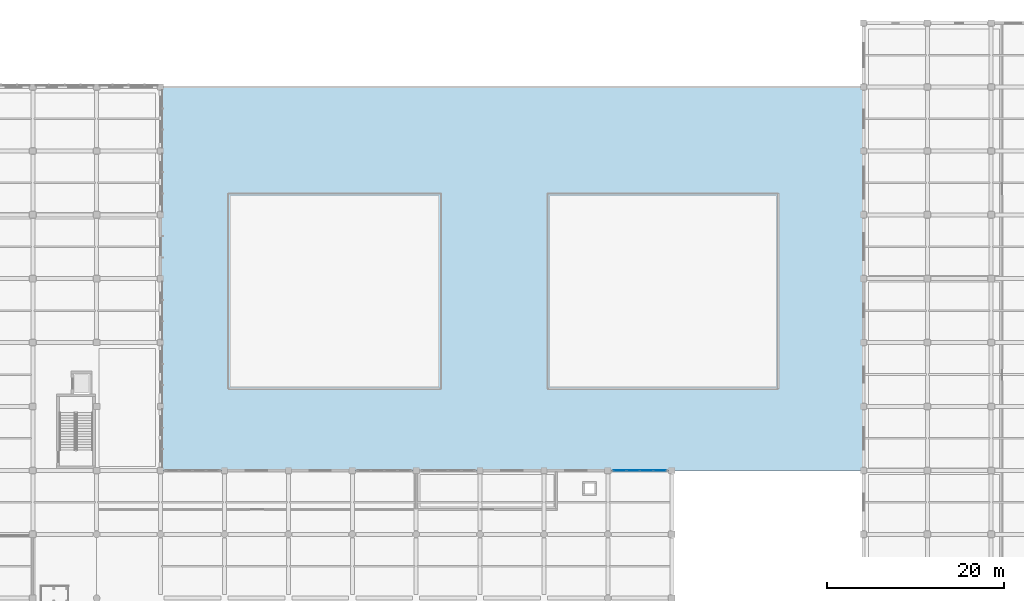
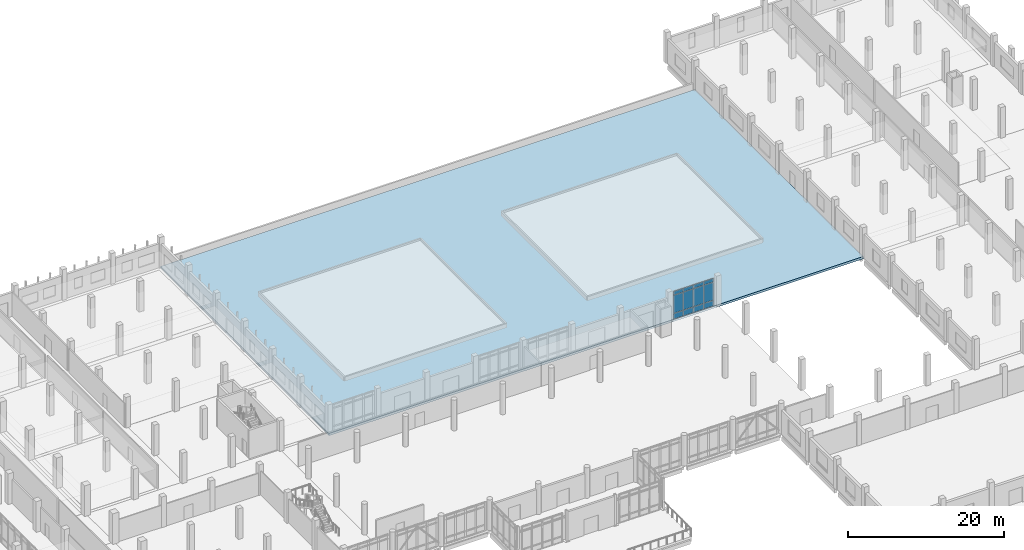
# One storey, part 32 of 59: 12 plates, 1 slab, 1 element without a shape of its own.
"""IFC4 building model written with IfcOpenShell, lengths in metres."""

from ifc_helpers import new_model, si_unit, direction, frame, origin, origin_2d, place, context, subcontext, project, spatial, polyline, rectangle, outline, extrude, material, layer, layer_set, type_object, element, aggregate, save


model = new_model("IFC4")

# Units and contexts
model_context = context("Model", 3, precision=1e-05, world=origin(), true_north=direction((0.0, 1.0)))
body_context = subcontext(model_context, "Body", "Model", "MODEL_VIEW")
ifc_project = project(units=[si_unit("LENGTHUNIT", "METRE"), si_unit("AREAUNIT", "SQUARE_METRE"), si_unit("VOLUMEUNIT", "CUBIC_METRE"), si_unit("PLANEANGLEUNIT", "RADIAN"), si_unit("MASSUNIT", "GRAM", prefix="KILO")], contexts=[model_context])

# Site, building, storey
site_placement = place(None, origin())
site = spatial("IfcSite", under=ifc_project, at=site_placement, CompositionType="ELEMENT")
building_placement = place(site_placement, origin())
building = spatial("IfcBuilding", under=site, at=building_placement, Name="Valkovuoma Quantum and Materials Research Institute", CompositionType="ELEMENT")
storey_placement = place(building_placement, origin())
storey = spatial("IfcBuildingStorey", under=building, at=storey_placement, Name="L00", CompositionType="ELEMENT", Elevation=0.0)

# Curtain wall, plates
ifc_material_1 = material(Name="Thermally broken aluminium and triple low-E glazing", Category="aluminium")
ifc_layer_1 = layer(ifc_material_1, 0.219970703125)
ifc_layer_set_1 = layer_set([ifc_layer_1], Name="Thermally broken aluminium and triple low-E glazing")
curtain_wall_type = type_object("IfcCurtainWallType", Name="CW-CW-02", PredefinedType="NOTDEFINED", material=ifc_layer_set_1)
curtain_wall_placement = place(storey_placement, origin())
curtain_wall = element("IfcCurtainWall", 1, at=curtain_wall_placement, inside=storey, type_object=curtain_wall_type, Name="L00 curtain wall 158", PredefinedType="NOTDEFINED")
ifc_material_2 = material(Name="Triple low-E argon insulating glass", Category="glass")
ifc_layer_2 = layer(ifc_material_2, 0.0419921875)
ifc_layer_set_2 = layer_set([ifc_layer_2], Name="Triple low-E argon insulating glass")
plate_type = type_object("IfcPlateType", Name="CWPanel-CWP-02", PredefinedType="CURTAIN_PANEL", material=ifc_layer_set_2)
plate_1_placement = place(storey_placement, frame((102.155029296875, 64.800048828125, 0.074951171875), z_axis=(0.0, 0.0, 1.0), x_axis=(1.0, 0.0, 0.0)))
plate_1 = element("IfcPlate", 2, at=plate_1_placement, type_object=plate_type, Name="CW-02 panel 1.1", PredefinedType="CURTAIN_PANEL", context=body_context, shape_type="SweptSolid", body=[
    extrude(rectangle(XDim=1.389892578125, YDim=0.0419921875, at=origin_2d()), origin(), (0.0, 0.0, 1.0), 0.83740234375),
])
plate_2_placement = place(storey_placement, frame((102.155029296875, 64.800048828125, 0.987548828125), z_axis=(0.0, 0.0, 1.0), x_axis=(1.0, 0.0, 0.0)))
plate_2 = element("IfcPlate", 3, at=plate_2_placement, type_object=plate_type, Name="CW-02 panel 1.2", PredefinedType="CURTAIN_PANEL", context=body_context, shape_type="SweptSolid", body=[
    extrude(rectangle(XDim=1.389892578125, YDim=0.0419921875, at=origin_2d()), origin(), (0.0, 0.0, 1.0), 2.77490234375),
])
plate_3_placement = place(storey_placement, frame((102.155029296875, 64.800048828125, 3.83740234375), z_axis=(0.0, 0.0, 1.0), x_axis=(1.0, 0.0, 0.0)))
plate_3 = element("IfcPlate", 4, at=plate_3_placement, type_object=plate_type, Name="CW-02 panel 1.3", PredefinedType="CURTAIN_PANEL", context=body_context, shape_type="SweptSolid", body=[
    extrude(rectangle(XDim=1.389892578125, YDim=0.0419921875, at=origin_2d()), origin(), (0.0, 0.0, 1.0), 0.53759765625),
])
plate_4_placement = place(storey_placement, frame((103.64501953125, 64.800048828125, 0.074951171875), z_axis=(0.0, 0.0, 1.0), x_axis=(1.0, 0.0, 0.0)))
plate_4 = element("IfcPlate", 5, at=plate_4_placement, type_object=plate_type, Name="CW-02 panel 2.1", PredefinedType="CURTAIN_PANEL", context=body_context, shape_type="SweptSolid", body=[
    extrude(rectangle(XDim=1.429931640625, YDim=0.0419921875, at=origin_2d()), origin(), (0.0, 0.0, 1.0), 0.83740234375),
])
plate_5_placement = place(storey_placement, frame((103.64501953125, 64.800048828125, 0.987548828125), z_axis=(0.0, 0.0, 1.0), x_axis=(1.0, 0.0, 0.0)))
plate_5 = element("IfcPlate", 6, at=plate_5_placement, type_object=plate_type, Name="CW-02 panel 2.2", PredefinedType="CURTAIN_PANEL", context=body_context, shape_type="SweptSolid", body=[
    extrude(rectangle(XDim=1.429931640625, YDim=0.0419921875, at=origin_2d()), origin(), (0.0, 0.0, 1.0), 2.77490234375),
])
plate_6_placement = place(storey_placement, frame((103.64501953125, 64.800048828125, 3.83740234375), z_axis=(0.0, 0.0, 1.0), x_axis=(1.0, 0.0, 0.0)))
plate_6 = element("IfcPlate", 7, at=plate_6_placement, type_object=plate_type, Name="CW-02 panel 2.3", PredefinedType="CURTAIN_PANEL", context=body_context, shape_type="SweptSolid", body=[
    extrude(rectangle(XDim=1.429931640625, YDim=0.0419921875, at=origin_2d()), origin(), (0.0, 0.0, 1.0), 0.53759765625),
])
plate_7_placement = place(storey_placement, frame((105.155029296875, 64.800048828125, 0.074951171875), z_axis=(0.0, 0.0, 1.0), x_axis=(1.0, 0.0, 0.0)))
plate_7 = element("IfcPlate", 8, at=plate_7_placement, type_object=plate_type, Name="CW-02 panel 3.1", PredefinedType="CURTAIN_PANEL", context=body_context, shape_type="SweptSolid", body=[
    extrude(rectangle(XDim=1.429931640625, YDim=0.0419921875, at=origin_2d()), origin(), (0.0, 0.0, 1.0), 0.83740234375),
])
plate_8_placement = place(storey_placement, frame((105.155029296875, 64.800048828125, 0.987548828125), z_axis=(0.0, 0.0, 1.0), x_axis=(1.0, 0.0, 0.0)))
plate_8 = element("IfcPlate", 9, at=plate_8_placement, type_object=plate_type, Name="CW-02 panel 3.2", PredefinedType="CURTAIN_PANEL", context=body_context, shape_type="SweptSolid", body=[
    extrude(rectangle(XDim=1.429931640625, YDim=0.0419921875, at=origin_2d()), origin(), (0.0, 0.0, 1.0), 2.77490234375),
])
plate_9_placement = place(storey_placement, frame((105.155029296875, 64.800048828125, 3.83740234375), z_axis=(0.0, 0.0, 1.0), x_axis=(1.0, 0.0, 0.0)))
plate_9 = element("IfcPlate", 10, at=plate_9_placement, type_object=plate_type, Name="CW-02 panel 3.3", PredefinedType="CURTAIN_PANEL", context=body_context, shape_type="SweptSolid", body=[
    extrude(rectangle(XDim=1.429931640625, YDim=0.0419921875, at=origin_2d()), origin(), (0.0, 0.0, 1.0), 0.53759765625),
])
plate_10_placement = place(storey_placement, frame((106.64501953125, 64.800048828125, 0.074951171875), z_axis=(0.0, 0.0, 1.0), x_axis=(1.0, 0.0, 0.0)))
plate_10 = element("IfcPlate", 11, at=plate_10_placement, type_object=plate_type, Name="CW-02 panel 4.1", PredefinedType="CURTAIN_PANEL", context=body_context, shape_type="SweptSolid", body=[
    extrude(rectangle(XDim=1.389892578125, YDim=0.0419921875, at=origin_2d()), origin(), (0.0, 0.0, 1.0), 0.83740234375),
])
plate_11_placement = place(storey_placement, frame((106.64501953125, 64.800048828125, 0.987548828125), z_axis=(0.0, 0.0, 1.0), x_axis=(1.0, 0.0, 0.0)))
plate_11 = element("IfcPlate", 12, at=plate_11_placement, type_object=plate_type, Name="CW-02 panel 4.2", PredefinedType="CURTAIN_PANEL", context=body_context, shape_type="SweptSolid", body=[
    extrude(rectangle(XDim=1.389892578125, YDim=0.0419921875, at=origin_2d()), origin(), (0.0, 0.0, 1.0), 2.77490234375),
])
plate_12_placement = place(storey_placement, frame((106.64501953125, 64.800048828125, 3.83740234375), z_axis=(0.0, 0.0, 1.0), x_axis=(1.0, 0.0, 0.0)))
plate_12 = element("IfcPlate", 13, at=plate_12_placement, type_object=plate_type, Name="CW-02 panel 4.3", PredefinedType="CURTAIN_PANEL", context=body_context, shape_type="SweptSolid", body=[
    extrude(rectangle(XDim=1.389892578125, YDim=0.0419921875, at=origin_2d()), origin(), (0.0, 0.0, 1.0), 0.53759765625),
])
aggregate(curtain_wall, [plate_1, plate_2, plate_3, plate_4, plate_5, plate_6, plate_7, plate_8, plate_9, plate_10, plate_11, plate_12])

# Slab
ifc_material_3 = material(Name="Concrete C40/50", Category="concrete")
ifc_layer_3 = layer(ifc_material_3, 0.35009765625)
ifc_layer_set_3 = layer_set([ifc_layer_3], Name="Concrete C40/50")
slab_type = type_object("IfcSlabType", Name="Slab-SL-TER350", PredefinedType="FLOOR", material=ifc_layer_set_3)
slab_placement = place(storey_placement, frame((0.0, 0.0, -0.35009765625)))
element("IfcSlab", 14, at=slab_placement, inside=storey, type_object=slab_type, Name="L00 outdoor deck BIRCH_COURT_PAVING", PredefinedType="FLOOR", context=body_context, shape_type="SweptSolid", body=[
    extrude(outline(polyline([(50.39990234375, 64.800048828125), (129.60009765625, 64.800048828125), (129.60009765625, 108.0), (50.39990234375, 108.0), (50.39990234375, 64.800048828125)])), origin(), (0.0, 0.0, 1.0), 0.35009765625),
])

save(model, "model.ifc")
